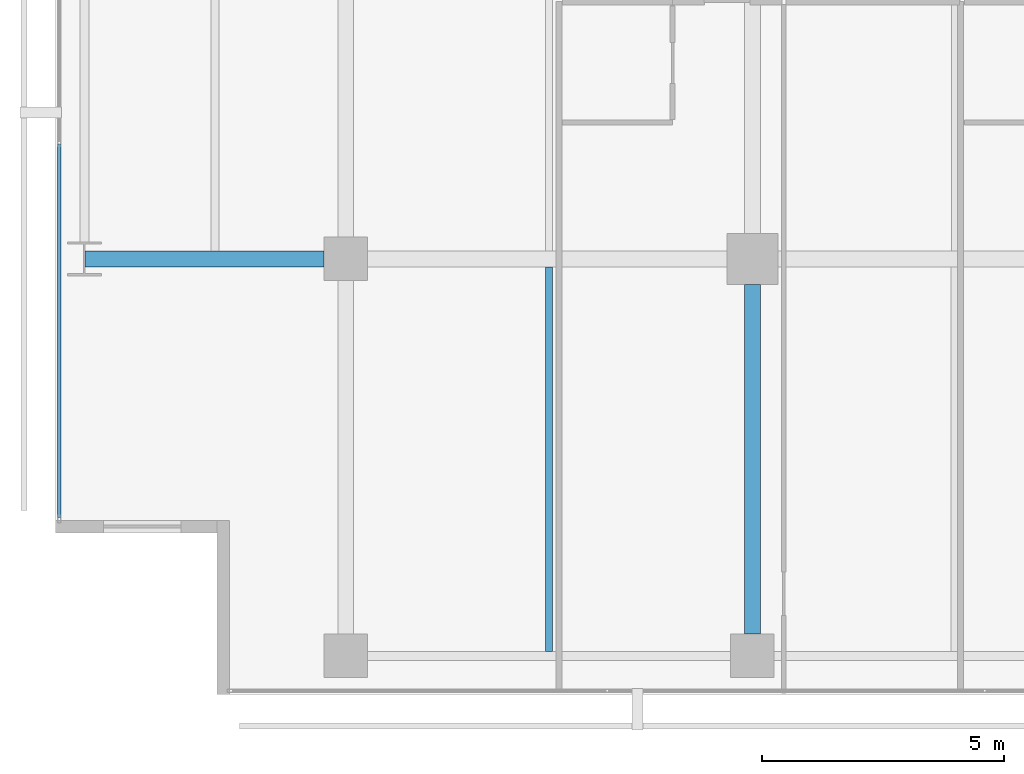
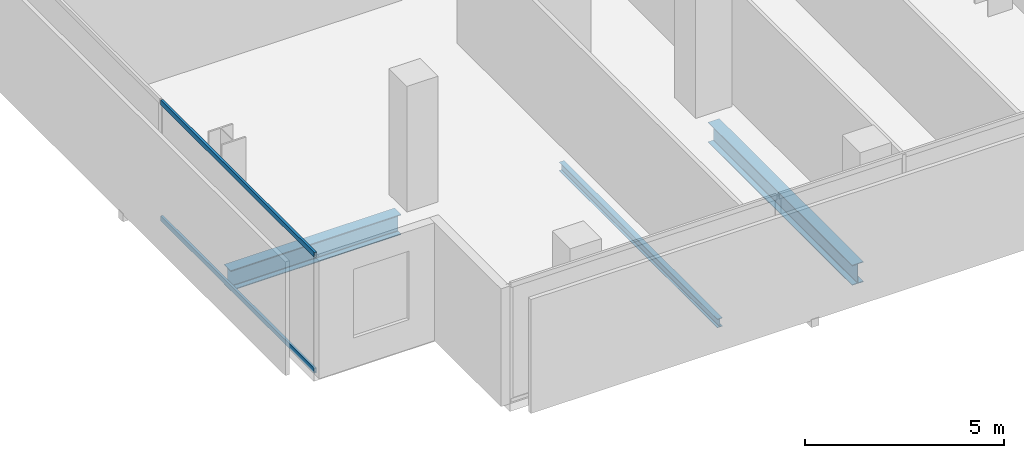
# One storey, part 4 of 40: 3 beams, 2 members, 1 element without a shape of its own.
"""IFC4 building model written with IfcOpenShell, lengths in metres."""

import ifcopenshell
import ifcopenshell.guid

model = None  # the IFC model being written
_history = None  # IfcOwnerHistory: only IFC2X3 demands one
_inside = {}  # id of a spatial element -> (the spatial element, [elements in it])
_under = {}  # id of a project, library or spatial element -> (it, [spatial elements below it])
_declared = {}  # id of a project -> (the project, [libraries it declares])
_typed = {}  # id of a type object -> (the type object, [elements of that type])
_made_of = {}  # id of a material, layer set ... -> (it, [elements and type objects made of it])


def new_model(schema):
    """Start an empty IFC model of exactly this schema.

    Asked for "IFC4X3", IfcOpenShell would pick the latest addendum, in which some entities
    have other attributes; the version numbers below select the first issue.
    IFC2X3 requires an IfcOwnerHistory on every rooted entity: one is made here for all.
    """
    global model, _history
    if schema == "IFC4X3":
        model = ifcopenshell.file(schema_version=(4, 3, 0, 0))
    else:
        model = ifcopenshell.file(schema=schema)
    _inside.clear()
    _under.clear()
    _declared.clear()
    _typed.clear()
    _made_of.clear()
    _history = None
    if model.schema == "IFC2X3":
        org = make("IfcOrganization", Name="unknown")
        user = make(
            "IfcPersonAndOrganization",
            ThePerson=make("IfcPerson", FamilyName="unknown"),
            TheOrganization=org,
        )
        app = make(
            "IfcApplication",
            ApplicationDeveloper=org,
            Version="unknown",
            ApplicationFullName="unknown",
            ApplicationIdentifier="unknown",
        )
        _history = make(
            "IfcOwnerHistory",
            OwningUser=user,
            OwningApplication=app,
            ChangeAction="ADDED",
            CreationDate=0,
        )
    return model


def make(cls, **values):
    """One entity of the class cls with the attributes given. An attribute that is None is left unset."""
    return model.create_entity(
        cls, **{name: value for name, value in values.items() if value is not None}
    )


def rooted(cls, **values):
    """An entity with a GlobalId (a new one), such as an element, a storey or a relation."""
    return make(cls, GlobalId=ifcopenshell.guid.new(), OwnerHistory=_history, **values)


def si_unit(unit_type, name, prefix=None):
    """IfcSIUnit, for example si_unit("LENGTHUNIT", "METRE", prefix="MILLI")."""
    return make("IfcSIUnit", UnitType=unit_type, Prefix=prefix, Name=name)


def assignment(units):
    """IfcUnitAssignment: the units of a project."""
    return None if units is None else make("IfcUnitAssignment", Units=units)


def point(xyz):
    """IfcCartesianPoint."""
    return None if xyz is None else make("IfcCartesianPoint", Coordinates=xyz)


def direction(xyz):
    """IfcDirection."""
    return None if xyz is None else make("IfcDirection", DirectionRatios=xyz)


def frame(location, z_axis=None, x_axis=None):
    """IfcAxis2Placement3D, a coordinate frame: its origin and axes. An axis left out is left unset."""
    return make(
        "IfcAxis2Placement3D",
        Location=point(location),
        Axis=direction(z_axis),
        RefDirection=direction(x_axis),
    )


def frame_2d(location, x_axis=None):
    """IfcAxis2Placement2D, a coordinate frame in the plane: its origin and x axis."""
    return make(
        "IfcAxis2Placement2D", Location=point(location), RefDirection=direction(x_axis)
    )


def origin():
    """The frame at (0, 0, 0) with its axes left unset."""
    return frame((0.0, 0.0, 0.0))


def origin_2d():
    """The frame at (0, 0) in the plane with its x axis left unset."""
    return frame_2d((0.0, 0.0))


def place(relative_to, where):
    """IfcLocalPlacement: puts the frame where relative to a parent placement (None: the world)."""
    return make(
        "IfcLocalPlacement", PlacementRelTo=relative_to, RelativePlacement=where
    )


def context(
    kind, dimensions, precision=None, world=None, true_north=None, identifier=None
):
    """IfcGeometricRepresentationContext, for example the 3D "Model" context."""
    return make(
        "IfcGeometricRepresentationContext",
        ContextIdentifier=identifier,
        ContextType=kind,
        CoordinateSpaceDimension=dimensions,
        Precision=precision,
        WorldCoordinateSystem=world,
        TrueNorth=true_north,
    )


def subcontext(parent, identifier, kind, view, scale=None):
    """IfcGeometricRepresentationSubContext, for example "Body" below "Model"."""
    return make(
        "IfcGeometricRepresentationSubContext",
        ContextIdentifier=identifier,
        ContextType=kind,
        ParentContext=parent,
        TargetScale=scale,
        TargetView=view,
    )


def project(units=None, contexts=None):
    """IfcProject with its units and contexts."""
    return rooted(
        "IfcProject",
        Name="project",
        RepresentationContexts=contexts,
        UnitsInContext=assignment(units),
    )


def spatial(cls, under=None, at=None, **own):
    """A site, building, storey or space (cls), placed at a placement, below another one or the project."""
    s = rooted(cls, ObjectPlacement=at, **own)
    if under is not None:
        _under.setdefault(under.id(), (under, []))[1].append(s)
    return s


def profile(cls, at=None, kind="AREA", **sizes):
    """A parametric profile (cls). Its sizes go by their IFC names, for example OverallWidth=200.0."""
    return make(cls, ProfileType=kind, Position=at, **sizes)


def hollow_rectangle(**sizes):
    """IfcRectangleHollowProfileDef."""
    return profile("IfcRectangleHollowProfileDef", **sizes)


def i_section(**sizes):
    """IfcIShapeProfileDef."""
    return profile("IfcIShapeProfileDef", **sizes)


def extrude(swept, where, along, depth):
    """IfcExtrudedAreaSolid: the profile swept, set in the frame where, extruded along a direction by depth."""
    return make(
        "IfcExtrudedAreaSolid",
        SweptArea=swept,
        Position=where,
        ExtrudedDirection=direction(along),
        Depth=depth,
    )


def shape(context_of_items, identifier, shape_type, items):
    """IfcShapeRepresentation: the items that make up one representation, for example the "Body"."""
    return make(
        "IfcShapeRepresentation",
        ContextOfItems=context_of_items,
        RepresentationIdentifier=identifier,
        RepresentationType=shape_type,
        Items=items,
    )


def material(Name=None, Category=None):
    """IfcMaterial."""
    return make("IfcMaterial", Name=Name, Category=Category)


def layer(
    of_material, thickness, ventilated=None, Name=None, Category=None, Priority=None
):
    """IfcMaterialLayer: one layer of a wall or slab, of a material (None: an air gap)."""
    return make(
        "IfcMaterialLayer",
        Material=of_material,
        LayerThickness=thickness,
        IsVentilated=ventilated,
        Name=Name,
        Category=Category,
        Priority=Priority,
    )


def layer_set(layers, Name=None):
    """IfcMaterialLayerSet."""
    return make("IfcMaterialLayerSet", MaterialLayers=layers, LayerSetName=Name)


def material_profile(
    of_material, cross_section, Name=None, Category=None, Priority=None
):
    """IfcMaterialProfile: a cross section and its material."""
    return make(
        "IfcMaterialProfile",
        Name=Name,
        Material=of_material,
        Profile=cross_section,
        Priority=Priority,
        Category=Category,
    )


def profile_set(profiles, Name=None, composite=None):
    """IfcMaterialProfileSet."""
    return make(
        "IfcMaterialProfileSet",
        Name=Name,
        MaterialProfiles=profiles,
        CompositeProfile=composite,
    )


def made_of(thing, what):
    """Note that an element or type object is made of a material, layer set ...; save() writes the relation."""
    if what is not None:
        _made_of.setdefault(what.id(), (what, []))[1].append(thing)
    return thing


def type_object(cls, material=None, **own):
    """A type object (cls), such as IfcWallType, which elements share."""
    return made_of(rooted(cls, **own), material)


def element(
    cls,
    number,
    at=None,
    inside=None,
    cuts=None,
    type_object=None,
    material=None,
    context=None,
    identifier="Body",
    shape_type=None,
    held_by="IfcProductDefinitionShape",
    body=None,
    shapes=None,
    **own,
):
    """One element of the class cls, such as IfcWall. Its Tag is "e" and its number.

    at: its placement. inside: the storey or other place that contains it. cuts: it is an
    opening in that element (IfcRelVoidsElement). A single representation is given by context,
    identifier, shape_type and body (its items); several are given by shapes. held_by: the class
    of the entity that holds the representations. save() writes the other relations.
    """
    e = rooted(cls, Tag="e%d" % number, ObjectPlacement=at, **own)
    if body is not None:
        shapes = [shape(context, identifier, shape_type, body)]
    if shapes is not None:
        e.Representation = make(held_by, Representations=shapes)
    if inside is not None:
        _inside.setdefault(inside.id(), (inside, []))[1].append(e)
    if cuts is not None:
        rooted(
            "IfcRelVoidsElement", RelatingBuildingElement=cuts, RelatedOpeningElement=e
        )
    if type_object is not None:
        _typed.setdefault(type_object.id(), (type_object, []))[1].append(e)
    return made_of(e, material)


def aggregate(whole, parts):
    """IfcRelAggregates: a whole, such as a stair, and the parts it consists of."""
    return rooted("IfcRelAggregates", RelatingObject=whole, RelatedObjects=parts)


def save(model, path):
    """Write the relations noted so far, then the file.

    IfcRelAggregates (storeys below a building ...), IfcRelContainedInSpatialStructure (elements
    in a storey), IfcRelDefinesByType, IfcRelAssociatesMaterial and IfcRelDeclares: one each for
    every whole, place, type object, material and project.
    """
    for whole, parts in _under.values():
        aggregate(whole, parts)
    for where, things in _inside.values():
        rooted(
            "IfcRelContainedInSpatialStructure",
            RelatedElements=things,
            RelatingStructure=where,
        )
    for kind, things in _typed.values():
        rooted("IfcRelDefinesByType", RelatedObjects=things, RelatingType=kind)
    for what, things in _made_of.values():
        rooted("IfcRelAssociatesMaterial", RelatedObjects=things, RelatingMaterial=what)
    for by, libraries in _declared.values():
        rooted("IfcRelDeclares", RelatingContext=by, RelatedDefinitions=libraries)
    model.write(path)


model = new_model("IFC4")

# Units and contexts
model_context = context("Model", 3, precision=1e-05, world=origin(), true_north=direction((0.0, 1.0)))
body_context = subcontext(model_context, "Body", "Model", "MODEL_VIEW")
ifc_project = project(units=[si_unit("LENGTHUNIT", "METRE"), si_unit("AREAUNIT", "SQUARE_METRE"), si_unit("VOLUMEUNIT", "CUBIC_METRE"), si_unit("PLANEANGLEUNIT", "RADIAN"), si_unit("MASSUNIT", "GRAM", prefix="KILO")], contexts=[model_context])

# Site, building, storey
site_placement = place(None, origin())
site = spatial("IfcSite", under=ifc_project, at=site_placement, CompositionType="ELEMENT")
building_placement = place(site_placement, origin())
building = spatial("IfcBuilding", under=site, at=building_placement, Name="Maruvema Waterfront Hotel and Observation Tower", CompositionType="ELEMENT")
storey_placement = place(building_placement, frame((0.0, 0.0, 50.050048828125)))
storey = spatial("IfcBuildingStorey", under=building, at=storey_placement, Name="L11", CompositionType="ELEMENT", Elevation=50.050048828125)

# Curtain wall, members
ifc_material_1 = material(Name="Anodised bronze aluminium and solar-control low-E IGU", Category="aluminium")
ifc_layer = layer(ifc_material_1, 0.159912109375, Name="Zone 1 Bronze Inner Thermal Curtain Wall System CW-02")
ifc_layer_set = layer_set([ifc_layer], Name="Anodised bronze aluminium and solar-control low-E IGU")
curtain_wall_type = type_object("IfcCurtainWallType", Name="Zone 1 Bronze Inner Thermal Curtain Wall System CW-02", PredefinedType="USERDEFINED", material=ifc_layer_set)
curtain_wall_placement = place(storey_placement, origin())
curtain_wall = element("IfcCurtainWall", 1, at=curtain_wall_placement, inside=storey, type_object=curtain_wall_type, Name="L11 Curtain Wall CW-L11-W", ObjectType="UNITISED CURTAIN WALL", PredefinedType="USERDEFINED")
ifc_material_2 = material(Name="Anodised architectural bronze aluminium", Category="aluminium")
ifc_material_profile_1 = material_profile(ifc_material_2, hollow_rectangle(XDim=0.070068359375, YDim=0.14990234375, WallThickness=0.00390625, at=origin_2d()), Name="ALU-T70x150")
ifc_profile_set_1 = profile_set([ifc_material_profile_1], Name="Anodised architectural bronze aluminium")
member_type = type_object("IfcMemberType", Name="Curtain Wall Horizontal Transom ALU-T70x150", PredefinedType="USERDEFINED", material=ifc_profile_set_1)
member_1_placement = place(storey_placement, frame((10.8798828125, 11.3701171875, 0.030029296875), z_axis=(0.0, -1.0, 0.0), x_axis=(1.0, 0.0, 0.0)))
member_1 = element("IfcMember", 2, at=member_1_placement, type_object=member_type, Name="CW-02 transom 6.1", ObjectType="TRANSOM", PredefinedType="USERDEFINED", context=body_context, shape_type="SweptSolid", body=[
    extrude(hollow_rectangle(XDim=0.070068359375, YDim=0.14990234375, WallThickness=0.00390625, at=origin_2d()), origin(), (0.0, 0.0, 1.0), 7.710205078125),
])
member_2_placement = place(storey_placement, frame((10.8798828125, 11.3701171875, 3.579833984375), z_axis=(0.0, -1.0, 0.0), x_axis=(1.0, 0.0, 0.0)))
member_2 = element("IfcMember", 3, at=member_2_placement, type_object=member_type, Name="CW-02 transom 6.2", ObjectType="TRANSOM", PredefinedType="USERDEFINED", context=body_context, shape_type="SweptSolid", body=[
    extrude(hollow_rectangle(XDim=0.070068359375, YDim=0.14990234375, WallThickness=0.00390625, at=origin_2d()), origin(), (0.0, 0.0, 1.0), 7.710205078125),
])
aggregate(curtain_wall, [member_1, member_2])

# Beams
ifc_material_3 = material(Name="Steel ASTM A572 Grade 50", Category="steel")
ifc_material_profile_2 = material_profile(ifc_material_3, i_section(OverallWidth=0.326904296875, OverallDepth=0.6220703125, WebThickness=0.015380859375, FlangeThickness=0.0244140625, FilletRadius=0.01806640625, at=origin_2d()), Name="W610x195.0")
ifc_profile_set_2 = profile_set([ifc_material_profile_2], Name="Steel ASTM A572 Grade 50")
beam_type_1 = type_object("IfcBeamType", Name="Primary Floor Girder W610x195.0", PredefinedType="BEAM", material=ifc_profile_set_2)
beam_1_placement = place(storey_placement, frame((11.4140625, 9.0, -0.551025390625), z_axis=(1.0, 0.0, 0.0), x_axis=(0.0, 1.0, 0.0)))
element("IfcBeam", 4, at=beam_1_placement, inside=storey, type_object=beam_type_1, Name="L11 Floor Girder EW-06", PredefinedType="BEAM", context=body_context, shape_type="SweptSolid", body=[
    extrude(i_section(OverallWidth=0.326904296875, OverallDepth=0.6220703125, WebThickness=0.015380859375, FlangeThickness=0.0244140625, FilletRadius=0.01806640625, at=origin_2d()), origin(), (0.0, 0.0, 1.0), 4.93603515625),
])
beam_2_placement = place(storey_placement, frame((25.199951171875, 1.25, -0.551025390625), z_axis=(0.0, 1.0, 0.0), x_axis=(-1.0, 0.0, 0.0)))
element("IfcBeam", 5, at=beam_2_placement, inside=storey, type_object=beam_type_1, Name="L11 Floor Girder NS-11", PredefinedType="BEAM", context=body_context, shape_type="SweptSolid", body=[
    extrude(i_section(OverallWidth=0.326904296875, OverallDepth=0.6220703125, WebThickness=0.015380859375, FlangeThickness=0.0244140625, FilletRadius=0.01806640625, at=origin_2d()), origin(), (0.0, 0.0, 1.0), 7.22509765625),
])
ifc_material_4 = material(Name="Steel ASTM A572 Grade 50", Category="steel")
ifc_material_profile_3 = material_profile(ifc_material_4, i_section(OverallWidth=0.14794921875, OverallDepth=0.26611328125, WebThickness=0.007568359375, FlangeThickness=0.012939453125, FilletRadius=0.012939453125, at=origin_2d()), Name="W250x44.8")
ifc_profile_set_3 = profile_set([ifc_material_profile_3], Name="Steel ASTM A572 Grade 50")
beam_type_2 = type_object("IfcBeamType", Name="Secondary Floor Joist W250x44.8", PredefinedType="JOIST", material=ifc_profile_set_3)
beam_3_placement = place(storey_placement, frame((21.0, 0.89501953125, -0.373046875), z_axis=(0.0, 1.0, 0.0), x_axis=(-1.0, 0.0, 0.0)))
element("IfcBeam", 6, at=beam_3_placement, inside=storey, type_object=beam_type_2, Name="L11 Secondary Floor Joist JS-05", PredefinedType="JOIST", context=body_context, shape_type="SweptSolid", body=[
    extrude(i_section(OverallWidth=0.14794921875, OverallDepth=0.26611328125, WebThickness=0.007568359375, FlangeThickness=0.012939453125, FilletRadius=0.012939453125, at=origin_2d()), origin(), (0.0, 0.0, 1.0), 7.94140625),
])

save(model, "model.ifc")
